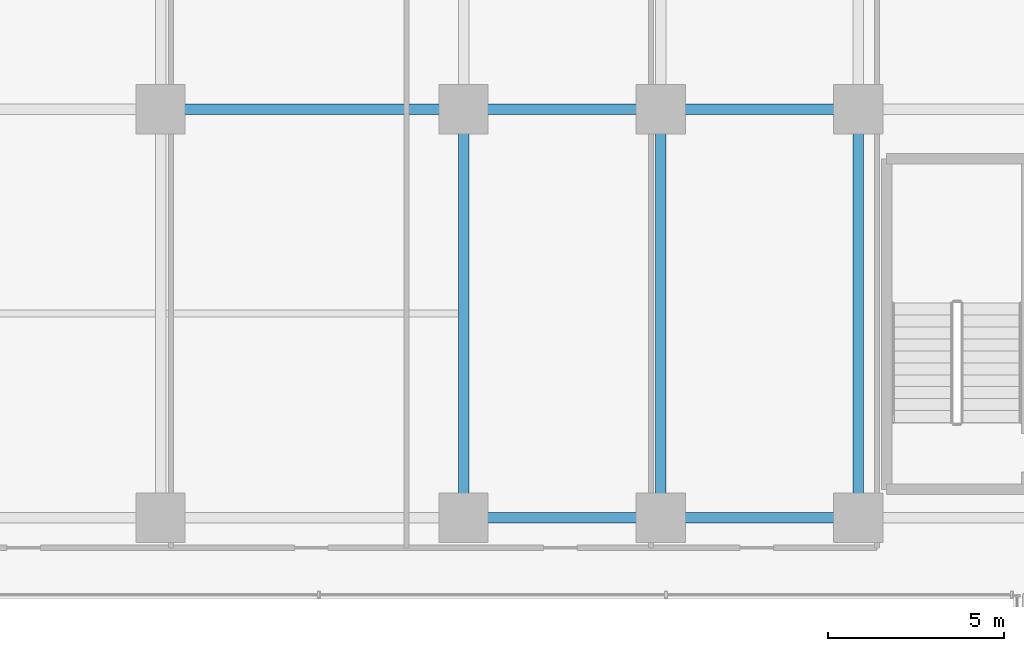
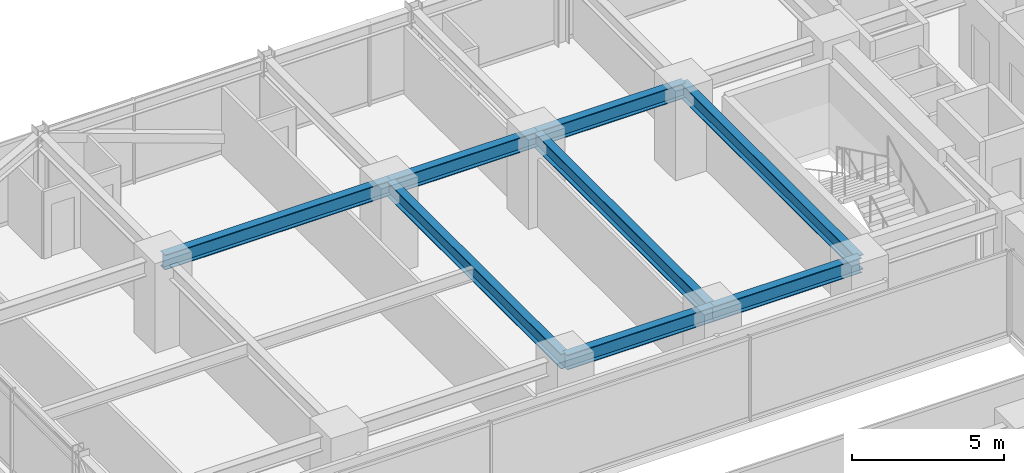
# One storey, part 22 of 37: 8 beams.
"""IFC4 building model written with IfcOpenShell, lengths in metres."""

from ifc_helpers import new_model, si_unit, direction, frame, origin, origin_2d, place, context, subcontext, project, spatial, i_section, extrude, source, transform, mapped, material, material_profile, profile_set, type_object, element, save


model = new_model("IFC4")

# Units and contexts
model_context = context("Model", 3, precision=1e-05, world=origin(), true_north=direction((0.0, 1.0)))
body_context = subcontext(model_context, "Body", "Model", "MODEL_VIEW")
ifc_project = project(units=[si_unit("LENGTHUNIT", "METRE"), si_unit("AREAUNIT", "SQUARE_METRE"), si_unit("VOLUMEUNIT", "CUBIC_METRE"), si_unit("PLANEANGLEUNIT", "RADIAN"), si_unit("MASSUNIT", "GRAM", prefix="KILO")], contexts=[model_context])

# Site, building, storey
site_placement = place(None, origin())
site = spatial("IfcSite", under=ifc_project, at=site_placement, CompositionType="ELEMENT")
building_placement = place(site_placement, origin())
building = spatial("IfcBuilding", under=site, at=building_placement, Name="Nahalor Promenade Grand Hotel", CompositionType="ELEMENT")
storey_placement = place(building_placement, frame((0.0, 0.0, 65.25)))
storey = spatial("IfcBuildingStorey", under=building, at=storey_placement, Name="L15", CompositionType="ELEMENT", Elevation=65.25)

# Beams
ifc_material = material(Name="Steel S355JR", Category="steel")
ifc_material_profile = material_profile(ifc_material, i_section(OverallWidth=0.3, OverallDepth=0.6, WebThickness=0.0155, FlangeThickness=0.03, at=origin_2d()), Name="HEB 600")
ifc_profile_set = profile_set([ifc_material_profile], Name="Steel S355JR")
beam_type = type_object("IfcBeamType", Name="Beam-Girder-HEB600", PredefinedType="BEAM", material=ifc_profile_set)
shared_shape_1 = source(origin(), body_context, "Body", "SweptSolid", [
    extrude(i_section(OverallWidth=0.3, OverallDepth=0.6, WebThickness=0.0155, FlangeThickness=0.03, at=origin_2d()), origin(), (0.0, 0.0, 1.0), 8.60009765625),
])
beam_placement = place(storey_placement, frame((-17.0, 17.0, 3.070068359375), z_axis=(1.0, 0.0, 0.0), x_axis=(0.0, 1.0, 0.0)))
element("IfcBeam", 1, at=beam_placement, inside=storey, type_object=beam_type, Name="BM-L15-GX-3-1", PredefinedType="BEAM", context=body_context, shape_type="MappedRepresentation", body=[
    mapped(shared_shape_1, transform((0.0, 0.0, 0.0), scale=1.0)),
])
shared_shape_2 = source(origin(), body_context, "Body", "SweptSolid", [
    extrude(i_section(OverallWidth=0.3, OverallDepth=0.6, WebThickness=0.0155, FlangeThickness=0.03, at=origin_2d()), origin(), (0.0, 0.0, 1.0), 5.599853515625),
])
for number, where, z_axis, x_axis, name in (
    (2, (-8.39990234375, 5.39990234375, 3.070068359375), (1.0, 0.0, 0.0), (0.0, 1.0, 0.0), "BM-L15-GX-2-2"),
    (3, (-8.39990234375, 17.0, 3.070068359375), (1.0, 0.0, 0.0), (0.0, 1.0, 0.0), "BM-L15-GX-3-2"),
):
    element("IfcBeam", number, at=place(storey_placement, frame(where, z_axis=z_axis, x_axis=x_axis)), inside=storey, type_object=beam_type, Name=name, PredefinedType="BEAM", context=body_context, shape_type="MappedRepresentation", body=[
        mapped(shared_shape_2, transform((0.0, 0.0, 0.0), scale=1.0)),
    ])
shared_shape_3 = source(origin(), body_context, "Body", "SweptSolid", [
    extrude(i_section(OverallWidth=0.3, OverallDepth=0.6, WebThickness=0.0155, FlangeThickness=0.03, at=origin_2d()), origin(), (0.0, 0.0, 1.0), 5.60009765625),
])
for number, where, z_axis, x_axis, name in (
    (4, (-2.800048828125, 5.39990234375, 3.070068359375), (1.0, 0.0, 0.0), (0.0, 1.0, 0.0), "BM-L15-GX-2-3"),
    (5, (-2.800048828125, 17.0, 3.070068359375), (1.0, 0.0, 0.0), (0.0, 1.0, 0.0), "BM-L15-GX-3-3"),
):
    element("IfcBeam", number, at=place(storey_placement, frame(where, z_axis=z_axis, x_axis=x_axis)), inside=storey, type_object=beam_type, Name=name, PredefinedType="BEAM", context=body_context, shape_type="MappedRepresentation", body=[
        mapped(shared_shape_3, transform((0.0, 0.0, 0.0), scale=1.0)),
    ])
shared_shape_4 = source(origin(), body_context, "Body", "SweptSolid", [
    extrude(i_section(OverallWidth=0.3, OverallDepth=0.6, WebThickness=0.0155, FlangeThickness=0.03, at=origin_2d()), origin(), (0.0, 0.0, 1.0), 11.60009765625),
])
for number, where, z_axis, x_axis, name in (
    (6, (-8.39990234375, 5.39990234375, 3.070068359375), (0.0, 1.0, 0.0), (-1.0, 0.0, 0.0), "BM-L15-GY-1-3"),
    (7, (-2.800048828125, 5.39990234375, 3.070068359375), (0.0, 1.0, 0.0), (-1.0, 0.0, 0.0), "BM-L15-GY-2-3"),
    (8, (2.800048828125, 5.39990234375, 3.070068359375), (0.0, 1.0, 0.0), (-1.0, 0.0, 0.0), "BM-L15-GY-3-3"),
):
    element("IfcBeam", number, at=place(storey_placement, frame(where, z_axis=z_axis, x_axis=x_axis)), inside=storey, type_object=beam_type, Name=name, PredefinedType="BEAM", context=body_context, shape_type="MappedRepresentation", body=[
        mapped(shared_shape_4, transform((0.0, 0.0, 0.0), scale=1.0)),
    ])

save(model, "model.ifc")
